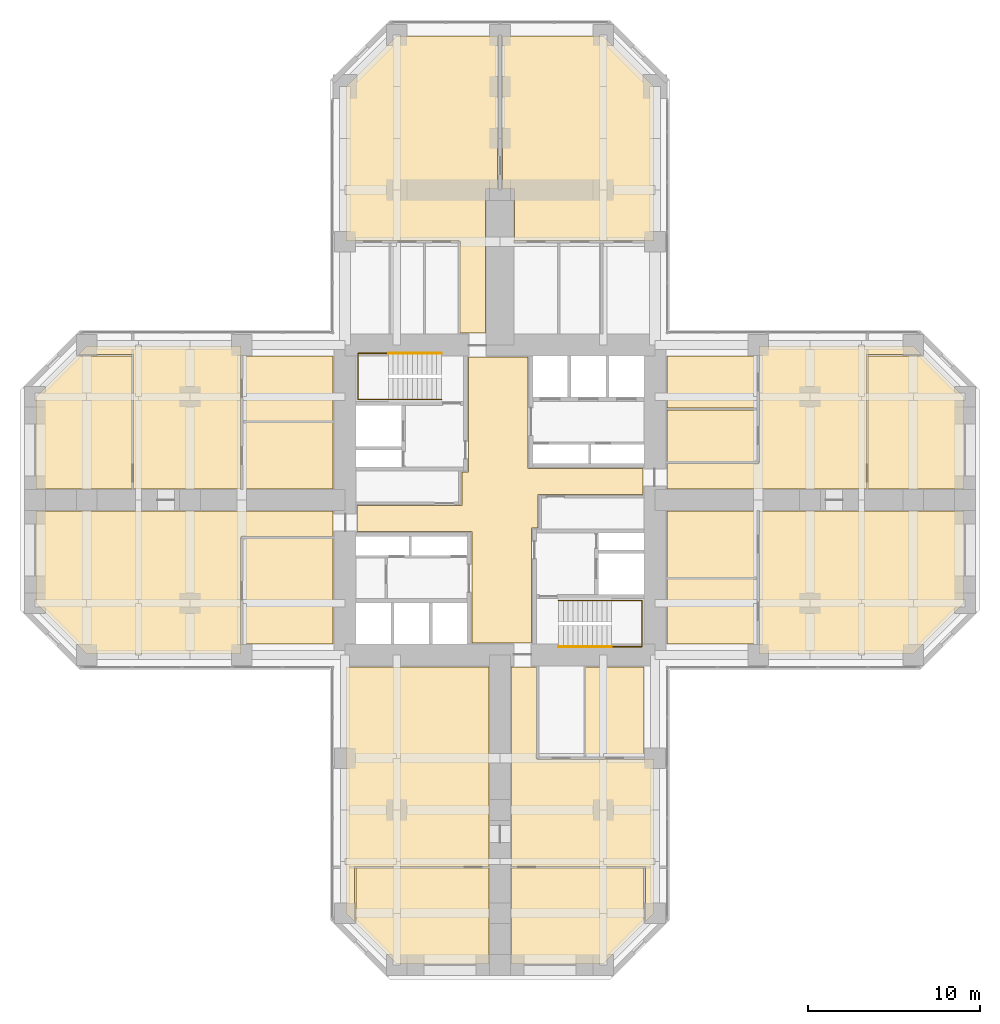
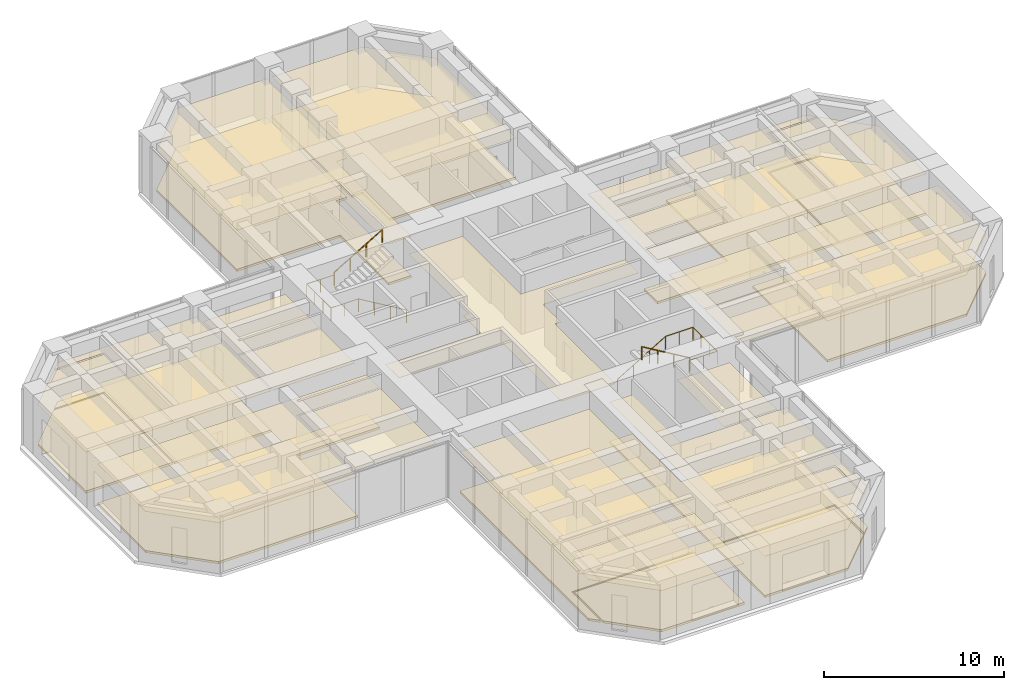
# One storey, part 12 of 12: 33 coverings, 4 railings.
"""IFC4 building model written with IfcOpenShell, lengths in metres."""

from ifc_helpers import new_model, si_unit, direction, frame, origin, origin_2d, place, context, subcontext, project, spatial, polyline, circle, outline, extrude, material, layer, layer_set, constituent, constituent_set, type_object, element, save


model = new_model("IFC4")

# Units and contexts
model_context = context("Model", 3, precision=1e-05, world=origin(), true_north=direction((0.0, 1.0)))
body_context = subcontext(model_context, "Body", "Model", "MODEL_VIEW")
ifc_project = project(units=[si_unit("LENGTHUNIT", "METRE"), si_unit("AREAUNIT", "SQUARE_METRE"), si_unit("VOLUMEUNIT", "CUBIC_METRE"), si_unit("PLANEANGLEUNIT", "RADIAN"), si_unit("MASSUNIT", "GRAM", prefix="KILO")], contexts=[model_context])

# Site, building, storey
site_placement = place(None, origin())
site = spatial("IfcSite", under=ifc_project, at=site_placement, CompositionType="ELEMENT")
building_placement = place(site_placement, origin())
building = spatial("IfcBuilding", under=site, at=building_placement, Name="Torre Cruceta", CompositionType="ELEMENT")
storey_placement = place(building_placement, frame((0.0, 0.0, 83.5)))
storey = spatial("IfcBuildingStorey", under=building, at=storey_placement, Name="L20", CompositionType="ELEMENT", Elevation=83.5)

# Railings
ifc_material_1 = material(Name="Stainless steel 1.4401", Category="steel")
railing_type = type_object("IfcRailingType", Name="HANDRAIL 900", PredefinedType="HANDRAIL", material=ifc_material_1)
railing_1_placement = place(storey_placement, frame((-3.39990234375, 5.8349609375, 0.166748046875)))
element("IfcRailing", 1, at=railing_1_placement, inside=storey, type_object=railing_type, Name="Handrail HR1 ST1 L20", PredefinedType="HANDRAIL", context=body_context, shape_type="SweptSolid", body=[
    extrude(circle(Radius=0.02392578125, at=origin_2d()), frame((0.0, 0.0, 0.8759765625), z_axis=(-0.859308565015, 0.0, 0.511457515432), x_axis=(0.0, -1.0, 0.0)), (0.0, 0.0, 1.0), 3.58447265625),
    extrude(circle(Radius=0.02392578125, at=origin_2d()), frame((-3.080078125, 0.0, 2.708984375), z_axis=(-1.0, 0.0, 0.0), x_axis=(0.0, -1.0, 0.0)), (0.0, 0.0, 1.0), 1.760009765625),
    extrude(circle(Radius=0.02392578125, at=origin_2d()), frame((-4.840087890625, 0.0, 2.708984375), z_axis=(0.0, 1.0, 0.0), x_axis=(-1.0, 0.0, 0.0)), (0.0, 0.0, 1.0), 2.679931640625),
    extrude(circle(Radius=0.02392578125, at=origin_2d()), frame((-4.840087890625, 2.679931640625, 2.708984375), z_axis=(1.0, 0.0, 0.0), x_axis=(0.0, 1.0, 0.0)), (0.0, 0.0, 1.0), 1.760009765625),
    extrude(circle(Radius=0.02099609375, at=origin_2d()), origin(), (0.0, 0.0, 1.0), 0.851806640625),
    extrude(circle(Radius=0.02099609375, at=origin_2d()), frame((-1.026611328125, 0.0, 0.611083984375)), (0.0, 0.0, 1.0), 0.851806640625),
    extrude(circle(Radius=0.02099609375, at=origin_2d()), frame((-2.053466796875, 0.0, 1.22216796875)), (0.0, 0.0, 1.0), 0.851806640625),
    extrude(circle(Radius=0.02099609375, at=origin_2d()), frame((-3.080078125, 0.0, 1.833251953125)), (0.0, 0.0, 1.0), 0.851806640625),
    extrude(circle(Radius=0.02099609375, at=origin_2d()), frame((-3.9599609375, 0.0, 1.833251953125)), (0.0, 0.0, 1.0), 0.851806640625),
    extrude(circle(Radius=0.02099609375, at=origin_2d()), frame((-4.840087890625, 0.0, 1.833251953125)), (0.0, 0.0, 1.0), 0.851806640625),
    extrude(circle(Radius=0.02099609375, at=origin_2d()), frame((-4.840087890625, 0.893310546875, 1.833251953125)), (0.0, 0.0, 1.0), 0.851806640625),
    extrude(circle(Radius=0.02099609375, at=origin_2d()), frame((-4.840087890625, 1.78662109375, 1.833251953125)), (0.0, 0.0, 1.0), 0.851806640625),
    extrude(circle(Radius=0.02099609375, at=origin_2d()), frame((-4.840087890625, 2.679931640625, 1.833251953125)), (0.0, 0.0, 1.0), 0.851806640625),
    extrude(circle(Radius=0.02099609375, at=origin_2d()), frame((-3.9599609375, 2.679931640625, 1.833251953125)), (0.0, 0.0, 1.0), 0.851806640625),
    extrude(circle(Radius=0.02099609375, at=origin_2d()), frame((-3.080078125, 2.679931640625, 1.833251953125)), (0.0, 0.0, 1.0), 0.851806640625),
])
railing_2_placement = place(storey_placement, frame((-6.47998046875, 8.514892578125, 2.166748046875)))
element("IfcRailing", 2, at=railing_2_placement, inside=storey, type_object=railing_type, Name="Handrail HR1 ST1 L20", PredefinedType="HANDRAIL", context=body_context, shape_type="SweptSolid", body=[
    extrude(circle(Radius=0.02392578125, at=origin_2d()), frame((0.0, 0.0, 0.8759765625), z_axis=(0.859308565015, 0.0, 0.511457515432), x_axis=(0.0, 1.0, 0.0)), (0.0, 0.0, 1.0), 3.58447265625),
    extrude(circle(Radius=0.02099609375, at=origin_2d()), origin(), (0.0, 0.0, 1.0), 0.851806640625),
    extrude(circle(Radius=0.02099609375, at=origin_2d()), frame((1.026611328125, 0.0, 0.611083984375)), (0.0, 0.0, 1.0), 0.851806640625),
    extrude(circle(Radius=0.02099609375, at=origin_2d()), frame((2.053466796875, 0.0, 1.22216796875)), (0.0, 0.0, 1.0), 0.851806640625),
    extrude(circle(Radius=0.02099609375, at=origin_2d()), frame((3.080078125, 0.0, 1.833251953125)), (0.0, 0.0, 1.0), 0.851806640625),
])
railing_3_placement = place(storey_placement, frame((3.39990234375, -5.8349609375, 0.166748046875)))
element("IfcRailing", 3, at=railing_3_placement, inside=storey, type_object=railing_type, Name="Handrail HR1 ST2 L20", PredefinedType="HANDRAIL", context=body_context, shape_type="SweptSolid", body=[
    extrude(circle(Radius=0.02392578125, at=origin_2d()), frame((0.0, 0.0, 0.8759765625), z_axis=(0.859308565015, 0.0, 0.511457515432), x_axis=(0.0, 1.0, 0.0)), (0.0, 0.0, 1.0), 3.58447265625),
    extrude(circle(Radius=0.02392578125, at=origin_2d()), frame((3.080078125, 0.0, 2.708984375), z_axis=(1.0, 0.0, 0.0), x_axis=(0.0, 1.0, 0.0)), (0.0, 0.0, 1.0), 1.760009765625),
    extrude(circle(Radius=0.02392578125, at=origin_2d()), frame((4.840087890625, 0.0, 2.708984375), z_axis=(0.0, -1.0, 0.0), x_axis=(1.0, 0.0, 0.0)), (0.0, 0.0, 1.0), 2.679931640625),
    extrude(circle(Radius=0.02392578125, at=origin_2d()), frame((4.840087890625, -2.679931640625, 2.708984375), z_axis=(-1.0, 0.0, 0.0), x_axis=(0.0, -1.0, 0.0)), (0.0, 0.0, 1.0), 1.760009765625),
    extrude(circle(Radius=0.02099609375, at=origin_2d()), origin(), (0.0, 0.0, 1.0), 0.851806640625),
    extrude(circle(Radius=0.02099609375, at=origin_2d()), frame((1.026611328125, 0.0, 0.611083984375)), (0.0, 0.0, 1.0), 0.851806640625),
    extrude(circle(Radius=0.02099609375, at=origin_2d()), frame((2.053466796875, 0.0, 1.22216796875)), (0.0, 0.0, 1.0), 0.851806640625),
    extrude(circle(Radius=0.02099609375, at=origin_2d()), frame((3.080078125, 0.0, 1.833251953125)), (0.0, 0.0, 1.0), 0.851806640625),
    extrude(circle(Radius=0.02099609375, at=origin_2d()), frame((3.9599609375, 0.0, 1.833251953125)), (0.0, 0.0, 1.0), 0.851806640625),
    extrude(circle(Radius=0.02099609375, at=origin_2d()), frame((4.840087890625, 0.0, 1.833251953125)), (0.0, 0.0, 1.0), 0.851806640625),
    extrude(circle(Radius=0.02099609375, at=origin_2d()), frame((4.840087890625, -0.893310546875, 1.833251953125)), (0.0, 0.0, 1.0), 0.851806640625),
    extrude(circle(Radius=0.02099609375, at=origin_2d()), frame((4.840087890625, -1.78662109375, 1.833251953125)), (0.0, 0.0, 1.0), 0.851806640625),
    extrude(circle(Radius=0.02099609375, at=origin_2d()), frame((4.840087890625, -2.679931640625, 1.833251953125)), (0.0, 0.0, 1.0), 0.851806640625),
    extrude(circle(Radius=0.02099609375, at=origin_2d()), frame((3.9599609375, -2.679931640625, 1.833251953125)), (0.0, 0.0, 1.0), 0.851806640625),
    extrude(circle(Radius=0.02099609375, at=origin_2d()), frame((3.080078125, -2.679931640625, 1.833251953125)), (0.0, 0.0, 1.0), 0.851806640625),
])
railing_4_placement = place(storey_placement, frame((6.47998046875, -8.514892578125, 2.166748046875)))
element("IfcRailing", 4, at=railing_4_placement, inside=storey, type_object=railing_type, Name="Handrail HR1 ST2 L20", PredefinedType="HANDRAIL", context=body_context, shape_type="SweptSolid", body=[
    extrude(circle(Radius=0.02392578125, at=origin_2d()), frame((0.0, 0.0, 0.8759765625), z_axis=(-0.859308565015, 0.0, 0.511457515432), x_axis=(0.0, -1.0, 0.0)), (0.0, 0.0, 1.0), 3.58447265625),
    extrude(circle(Radius=0.02099609375, at=origin_2d()), origin(), (0.0, 0.0, 1.0), 0.851806640625),
    extrude(circle(Radius=0.02099609375, at=origin_2d()), frame((-1.026611328125, 0.0, 0.611083984375)), (0.0, 0.0, 1.0), 0.851806640625),
    extrude(circle(Radius=0.02099609375, at=origin_2d()), frame((-2.053466796875, 0.0, 1.22216796875)), (0.0, 0.0, 1.0), 0.851806640625),
    extrude(circle(Radius=0.02099609375, at=origin_2d()), frame((-3.080078125, 0.0, 1.833251953125)), (0.0, 0.0, 1.0), 0.851806640625),
])

# Coverings
ifc_material_2 = material(Name="Steel DX51D", Category="steel")
ifc_constituent_1 = constituent(ifc_material_2, Name="Panel casing")
ifc_material_3 = material(Name="Calcium sulphate", Category="gypsum")
ifc_constituent_2 = constituent(ifc_material_3, Name="Panel core")
ifc_constituent_set = constituent_set(constituents=[ifc_constituent_1, ifc_constituent_2], Name="Raised access floor panel")
covering_type_1 = type_object("IfcCoveringType", Name="RAISED ACCESS FLOOR 150", PredefinedType="FLOORING", material=ifc_constituent_set)
covering_1_placement = place(storey_placement, origin())
element("IfcCovering", 5, at=covering_1_placement, inside=storey, type_object=covering_type_1, Name="Raised floor L20-031", PredefinedType="FLOORING", context=body_context, shape_type="SweptSolid", body=[
    extrude(outline(polyline([(-0.14990234375, 26.949951171875), (-0.14990234375, 18.050048828125), (-0.85009765625, 18.050048828125), (-0.85009765625, 9.699951171875), (-2.324951171875, 9.699951171875), (-2.324951171875, 15.050048828125), (-8.949951171875, 15.050048828125), (-8.949951171875, 23.979248046875), (-5.979248046875, 26.949951171875), (-0.14990234375, 26.949951171875)])), origin(), (0.0, 0.0, 1.0), 0.14990234375),
])
covering_2_placement = place(storey_placement, origin())
element("IfcCovering", 6, at=covering_2_placement, inside=storey, type_object=covering_type_1, Name="Raised floor L20-032", PredefinedType="FLOORING", context=body_context, shape_type="SweptSolid", body=[
    extrude(outline(polyline([(5.979248046875, 26.949951171875), (8.949951171875, 23.979248046875), (8.949951171875, 15.050048828125), (0.85009765625, 15.050048828125), (0.85009765625, 18.050048828125), (0.14990234375, 18.050048828125), (0.14990234375, 26.949951171875), (5.979248046875, 26.949951171875)])), origin(), (0.0, 0.0, 1.0), 0.14990234375),
])
covering_3_placement = place(storey_placement, origin())
element("IfcCovering", 7, at=covering_3_placement, inside=storey, type_object=covering_type_1, Name="Raised floor L20-037", PredefinedType="FLOORING", context=body_context, shape_type="SweptSolid", body=[
    extrude(outline(polyline([(26.949951171875, 0.64990234375), (21.3701171875, 0.64990234375), (21.3701171875, 8.35009765625), (24.579345703125, 8.35009765625), (26.949951171875, 5.979248046875), (26.949951171875, 0.64990234375)])), origin(), (0.0, 0.0, 1.0), 0.14990234375),
])
covering_4_placement = place(storey_placement, origin())
element("IfcCovering", 8, at=covering_4_placement, inside=storey, type_object=covering_type_1, Name="Raised floor L20-038", PredefinedType="FLOORING", context=body_context, shape_type="SweptSolid", body=[
    extrude(outline(polyline([(9.699951171875, 2.125), (15.050048828125, 2.125), (15.050048828125, 8.949951171875), (23.979248046875, 8.949951171875), (24.479248046875, 8.449951171875), (21.27001953125, 8.449951171875), (21.27001953125, 0.64990234375), (9.699951171875, 0.64990234375), (9.699951171875, 2.125)])), origin(), (0.0, 0.0, 1.0), 0.14990234375),
])
covering_5_placement = place(storey_placement, origin())
element("IfcCovering", 9, at=covering_5_placement, inside=storey, type_object=covering_type_1, Name="Raised floor L20-039", PredefinedType="FLOORING", context=body_context, shape_type="SweptSolid", body=[
    extrude(outline(polyline([(23.979248046875, -8.949951171875), (15.050048828125, -8.949951171875), (15.050048828125, -0.64990234375), (26.949951171875, -0.64990234375), (26.949951171875, -5.979248046875), (23.979248046875, -8.949951171875)])), origin(), (0.0, 0.0, 1.0), 0.14990234375),
])
covering_6_placement = place(storey_placement, origin())
element("IfcCovering", 10, at=covering_6_placement, inside=storey, type_object=covering_type_1, Name="Raised floor L20-042", PredefinedType="FLOORING", context=body_context, shape_type="SweptSolid", body=[
    extrude(outline(polyline([(0.64990234375, -26.949951171875), (0.64990234375, -21.3701171875), (8.35009765625, -21.3701171875), (8.35009765625, -24.579345703125), (5.979248046875, -26.949951171875), (0.64990234375, -26.949951171875)])), origin(), (0.0, 0.0, 1.0), 0.14990234375),
])
covering_7_placement = place(storey_placement, origin())
element("IfcCovering", 11, at=covering_7_placement, inside=storey, type_object=covering_type_1, Name="Raised floor L20-043", PredefinedType="FLOORING", context=body_context, shape_type="SweptSolid", body=[
    extrude(outline(polyline([(-8.35009765625, -24.579345703125), (-8.35009765625, -21.3701171875), (-0.64990234375, -21.3701171875), (-0.64990234375, -26.949951171875), (-5.979248046875, -26.949951171875), (-8.35009765625, -24.579345703125)])), origin(), (0.0, 0.0, 1.0), 0.14990234375),
])
covering_8_placement = place(storey_placement, origin())
element("IfcCovering", 12, at=covering_8_placement, inside=storey, type_object=covering_type_1, Name="Raised floor L20-044", PredefinedType="FLOORING", context=body_context, shape_type="SweptSolid", body=[
    extrude(outline(polyline([(0.64990234375, -21.27001953125), (0.64990234375, -9.699951171875), (2.125, -9.699951171875), (2.125, -15.050048828125), (8.949951171875, -15.050048828125), (8.949951171875, -23.979248046875), (8.449951171875, -24.479248046875), (8.449951171875, -21.27001953125), (0.64990234375, -21.27001953125)])), origin(), (0.0, 0.0, 1.0), 0.14990234375),
])
covering_9_placement = place(storey_placement, origin())
element("IfcCovering", 13, at=covering_9_placement, inside=storey, type_object=covering_type_1, Name="Raised floor L20-045", PredefinedType="FLOORING", context=body_context, shape_type="SweptSolid", body=[
    extrude(outline(polyline([(-8.449951171875, -21.27001953125), (-8.449951171875, -24.479248046875), (-8.949951171875, -23.979248046875), (-8.949951171875, -9.699951171875), (-0.64990234375, -9.699951171875), (-0.64990234375, -21.27001953125), (-8.449951171875, -21.27001953125)])), origin(), (0.0, 0.0, 1.0), 0.14990234375),
])
covering_10_placement = place(storey_placement, origin())
element("IfcCovering", 14, at=covering_10_placement, inside=storey, type_object=covering_type_1, Name="Raised floor L20-049", PredefinedType="FLOORING", context=body_context, shape_type="SweptSolid", body=[
    extrude(outline(polyline([(-24.579345703125, 8.35009765625), (-21.3701171875, 8.35009765625), (-21.3701171875, 0.64990234375), (-26.949951171875, 0.64990234375), (-26.949951171875, 5.979248046875), (-24.579345703125, 8.35009765625)])), origin(), (0.0, 0.0, 1.0), 0.14990234375),
])
covering_11_placement = place(storey_placement, origin())
element("IfcCovering", 15, at=covering_11_placement, inside=storey, type_object=covering_type_1, Name="Raised floor L20-050", PredefinedType="FLOORING", context=body_context, shape_type="SweptSolid", body=[
    extrude(outline(polyline([(-9.699951171875, -2.125), (-15.050048828125, -2.125), (-15.050048828125, -8.949951171875), (-23.979248046875, -8.949951171875), (-26.949951171875, -5.979248046875), (-26.949951171875, -0.64990234375), (-9.699951171875, -0.64990234375), (-9.699951171875, -2.125)])), origin(), (0.0, 0.0, 1.0), 0.14990234375),
])
covering_12_placement = place(storey_placement, origin())
element("IfcCovering", 16, at=covering_12_placement, inside=storey, type_object=covering_type_1, Name="Raised floor L20-051", PredefinedType="FLOORING", context=body_context, shape_type="SweptSolid", body=[
    extrude(outline(polyline([(-21.27001953125, 8.449951171875), (-24.479248046875, 8.449951171875), (-23.979248046875, 8.949951171875), (-15.050048828125, 8.949951171875), (-15.050048828125, 0.64990234375), (-21.27001953125, 0.64990234375), (-21.27001953125, 8.449951171875)])), origin(), (0.0, 0.0, 1.0), 0.14990234375),
])
ifc_material_4 = material(Name="Mineral fibre ceiling tile", Category="gypsum")
ifc_layer = layer(ifc_material_4, 0.02001953125)
ifc_layer_set = layer_set([ifc_layer], Name="Mineral fibre ceiling tile")
covering_type_2 = type_object("IfcCoveringType", Name="SUSPENDED CEILING 20", PredefinedType="CEILING", material=ifc_layer_set)
covering_13_placement = place(storey_placement, frame((0.0, 0.0, 2.780029296875)))
element("IfcCovering", 17, at=covering_13_placement, inside=storey, type_object=covering_type_2, Name="Ceiling L20-001", PredefinedType="CEILING", context=body_context, shape_type="SweptSolid", body=[
    extrude(outline(polyline([(1.824951171875, -8.300048828125), (-1.625, -8.300048828125), (-1.625, -1.824951171875), (-8.300048828125, -1.824951171875), (-8.300048828125, -0.324951171875), (-2.199951171875, -0.324951171875), (-2.199951171875, 1.625), (-1.824951171875, 1.625), (-1.824951171875, 8.300048828125), (1.625, 8.300048828125), (1.625, 1.824951171875), (8.300048828125, 1.824951171875), (8.300048828125, 0.324951171875), (2.199951171875, 0.324951171875), (2.199951171875, -1.625), (1.824951171875, -1.625), (1.824951171875, -8.300048828125)])), origin(), (0.0, 0.0, 1.0), 0.02001953125),
])
covering_14_placement = place(storey_placement, frame((0.0, 0.0, 2.780029296875)))
element("IfcCovering", 18, at=covering_14_placement, inside=storey, type_object=covering_type_2, Name="Ceiling L20-031", PredefinedType="CEILING", context=body_context, shape_type="SweptSolid", body=[
    extrude(outline(polyline([(-0.14990234375, 26.949951171875), (-0.14990234375, 18.050048828125), (-0.85009765625, 18.050048828125), (-0.85009765625, 9.699951171875), (-2.324951171875, 9.699951171875), (-2.324951171875, 15.050048828125), (-8.949951171875, 15.050048828125), (-8.949951171875, 23.979248046875), (-5.979248046875, 26.949951171875), (-0.14990234375, 26.949951171875)])), origin(), (0.0, 0.0, 1.0), 0.02001953125),
])
covering_15_placement = place(storey_placement, frame((0.0, 0.0, 2.780029296875)))
element("IfcCovering", 19, at=covering_15_placement, inside=storey, type_object=covering_type_2, Name="Ceiling L20-032", PredefinedType="CEILING", context=body_context, shape_type="SweptSolid", body=[
    extrude(outline(polyline([(5.979248046875, 26.949951171875), (8.949951171875, 23.979248046875), (8.949951171875, 15.050048828125), (0.85009765625, 15.050048828125), (0.85009765625, 18.050048828125), (0.14990234375, 18.050048828125), (0.14990234375, 26.949951171875), (5.979248046875, 26.949951171875)])), origin(), (0.0, 0.0, 1.0), 0.02001953125),
])
covering_16_placement = place(storey_placement, frame((0.0, 0.0, 2.780029296875)))
element("IfcCovering", 20, at=covering_16_placement, inside=storey, type_object=covering_type_2, Name="Ceiling L20-033", PredefinedType="CEILING", context=body_context, shape_type="SweptSolid", body=[
    extrude(outline(polyline([(9.699951171875, 2.22509765625), (9.699951171875, 5.237548828125), (14.949951171875, 5.237548828125), (14.949951171875, 2.22509765625), (9.699951171875, 2.22509765625)])), origin(), (0.0, 0.0, 1.0), 0.02001953125),
])
covering_17_placement = place(storey_placement, frame((0.0, 0.0, 2.780029296875)))
element("IfcCovering", 21, at=covering_17_placement, inside=storey, type_object=covering_type_2, Name="Ceiling L20-034", PredefinedType="CEILING", context=body_context, shape_type="SweptSolid", body=[
    extrude(outline(polyline([(9.699951171875, 5.33740234375), (9.699951171875, 8.35009765625), (14.949951171875, 8.35009765625), (14.949951171875, 5.33740234375), (9.699951171875, 5.33740234375)])), origin(), (0.0, 0.0, 1.0), 0.02001953125),
])
covering_18_placement = place(storey_placement, frame((0.0, 0.0, 2.780029296875)))
element("IfcCovering", 22, at=covering_18_placement, inside=storey, type_object=covering_type_2, Name="Ceiling L20-035", PredefinedType="CEILING", context=body_context, shape_type="SweptSolid", body=[
    extrude(outline(polyline([(9.699951171875, -4.5), (9.699951171875, -0.64990234375), (14.949951171875, -0.64990234375), (14.949951171875, -4.5), (9.699951171875, -4.5)])), origin(), (0.0, 0.0, 1.0), 0.02001953125),
])
covering_19_placement = place(storey_placement, frame((0.0, 0.0, 2.780029296875)))
element("IfcCovering", 23, at=covering_19_placement, inside=storey, type_object=covering_type_2, Name="Ceiling L20-036", PredefinedType="CEILING", context=body_context, shape_type="SweptSolid", body=[
    extrude(outline(polyline([(9.699951171875, -8.35009765625), (9.699951171875, -4.60009765625), (14.949951171875, -4.60009765625), (14.949951171875, -8.35009765625), (9.699951171875, -8.35009765625)])), origin(), (0.0, 0.0, 1.0), 0.02001953125),
])
covering_20_placement = place(storey_placement, frame((0.0, 0.0, 2.780029296875)))
element("IfcCovering", 24, at=covering_20_placement, inside=storey, type_object=covering_type_2, Name="Ceiling L20-037", PredefinedType="CEILING", context=body_context, shape_type="SweptSolid", body=[
    extrude(outline(polyline([(26.949951171875, 0.64990234375), (21.3701171875, 0.64990234375), (21.3701171875, 8.35009765625), (24.579345703125, 8.35009765625), (26.949951171875, 5.979248046875), (26.949951171875, 0.64990234375)])), origin(), (0.0, 0.0, 1.0), 0.02001953125),
])
covering_21_placement = place(storey_placement, frame((0.0, 0.0, 2.780029296875)))
element("IfcCovering", 25, at=covering_21_placement, inside=storey, type_object=covering_type_2, Name="Ceiling L20-038", PredefinedType="CEILING", context=body_context, shape_type="SweptSolid", body=[
    extrude(outline(polyline([(9.699951171875, 2.125), (15.050048828125, 2.125), (15.050048828125, 8.949951171875), (23.979248046875, 8.949951171875), (24.479248046875, 8.449951171875), (21.27001953125, 8.449951171875), (21.27001953125, 0.64990234375), (9.699951171875, 0.64990234375), (9.699951171875, 2.125)])), origin(), (0.0, 0.0, 1.0), 0.02001953125),
])
covering_22_placement = place(storey_placement, frame((0.0, 0.0, 2.780029296875)))
element("IfcCovering", 26, at=covering_22_placement, inside=storey, type_object=covering_type_2, Name="Ceiling L20-039", PredefinedType="CEILING", context=body_context, shape_type="SweptSolid", body=[
    extrude(outline(polyline([(23.979248046875, -8.949951171875), (15.050048828125, -8.949951171875), (15.050048828125, -0.64990234375), (26.949951171875, -0.64990234375), (26.949951171875, -5.979248046875), (23.979248046875, -8.949951171875)])), origin(), (0.0, 0.0, 1.0), 0.02001953125),
])
covering_23_placement = place(storey_placement, frame((0.0, 0.0, 2.780029296875)))
element("IfcCovering", 27, at=covering_23_placement, inside=storey, type_object=covering_type_2, Name="Ceiling L20-041", PredefinedType="CEILING", context=body_context, shape_type="SweptSolid", body=[
    extrude(outline(polyline([(4.9755859375, -9.699951171875), (8.35009765625, -9.699951171875), (8.35009765625, -14.949951171875), (4.9755859375, -14.949951171875), (4.9755859375, -9.699951171875)])), origin(), (0.0, 0.0, 1.0), 0.02001953125),
])
covering_24_placement = place(storey_placement, frame((0.0, 0.0, 2.780029296875)))
element("IfcCovering", 28, at=covering_24_placement, inside=storey, type_object=covering_type_2, Name="Ceiling L20-042", PredefinedType="CEILING", context=body_context, shape_type="SweptSolid", body=[
    extrude(outline(polyline([(0.64990234375, -26.949951171875), (0.64990234375, -21.3701171875), (8.35009765625, -21.3701171875), (8.35009765625, -24.579345703125), (5.979248046875, -26.949951171875), (0.64990234375, -26.949951171875)])), origin(), (0.0, 0.0, 1.0), 0.02001953125),
])
covering_25_placement = place(storey_placement, frame((0.0, 0.0, 2.780029296875)))
element("IfcCovering", 29, at=covering_25_placement, inside=storey, type_object=covering_type_2, Name="Ceiling L20-043", PredefinedType="CEILING", context=body_context, shape_type="SweptSolid", body=[
    extrude(outline(polyline([(-8.35009765625, -24.579345703125), (-8.35009765625, -21.3701171875), (-0.64990234375, -21.3701171875), (-0.64990234375, -26.949951171875), (-5.979248046875, -26.949951171875), (-8.35009765625, -24.579345703125)])), origin(), (0.0, 0.0, 1.0), 0.02001953125),
])
covering_26_placement = place(storey_placement, frame((0.0, 0.0, 2.780029296875)))
element("IfcCovering", 30, at=covering_26_placement, inside=storey, type_object=covering_type_2, Name="Ceiling L20-044", PredefinedType="CEILING", context=body_context, shape_type="SweptSolid", body=[
    extrude(outline(polyline([(0.64990234375, -21.27001953125), (0.64990234375, -9.699951171875), (2.125, -9.699951171875), (2.125, -15.050048828125), (8.949951171875, -15.050048828125), (8.949951171875, -23.979248046875), (8.449951171875, -24.479248046875), (8.449951171875, -21.27001953125), (0.64990234375, -21.27001953125)])), origin(), (0.0, 0.0, 1.0), 0.02001953125),
])
covering_27_placement = place(storey_placement, frame((0.0, 0.0, 2.780029296875)))
element("IfcCovering", 31, at=covering_27_placement, inside=storey, type_object=covering_type_2, Name="Ceiling L20-045", PredefinedType="CEILING", context=body_context, shape_type="SweptSolid", body=[
    extrude(outline(polyline([(-8.449951171875, -21.27001953125), (-8.449951171875, -24.479248046875), (-8.949951171875, -23.979248046875), (-8.949951171875, -9.699951171875), (-0.64990234375, -9.699951171875), (-0.64990234375, -21.27001953125), (-8.449951171875, -21.27001953125)])), origin(), (0.0, 0.0, 1.0), 0.02001953125),
])
covering_28_placement = place(storey_placement, frame((0.0, 0.0, 2.780029296875)))
element("IfcCovering", 32, at=covering_28_placement, inside=storey, type_object=covering_type_2, Name="Ceiling L20-046", PredefinedType="CEILING", context=body_context, shape_type="SweptSolid", body=[
    extrude(outline(polyline([(-9.699951171875, -2.22509765625), (-9.699951171875, -8.35009765625), (-14.949951171875, -8.35009765625), (-14.949951171875, -2.22509765625), (-9.699951171875, -2.22509765625)])), origin(), (0.0, 0.0, 1.0), 0.02001953125),
])
covering_29_placement = place(storey_placement, frame((0.0, 0.0, 2.780029296875)))
element("IfcCovering", 33, at=covering_29_placement, inside=storey, type_object=covering_type_2, Name="Ceiling L20-047", PredefinedType="CEILING", context=body_context, shape_type="SweptSolid", body=[
    extrude(outline(polyline([(-9.699951171875, 4.5), (-9.699951171875, 0.64990234375), (-14.949951171875, 0.64990234375), (-14.949951171875, 4.5), (-9.699951171875, 4.5)])), origin(), (0.0, 0.0, 1.0), 0.02001953125),
])
covering_30_placement = place(storey_placement, frame((0.0, 0.0, 2.780029296875)))
element("IfcCovering", 34, at=covering_30_placement, inside=storey, type_object=covering_type_2, Name="Ceiling L20-048", PredefinedType="CEILING", context=body_context, shape_type="SweptSolid", body=[
    extrude(outline(polyline([(-9.699951171875, 8.35009765625), (-9.699951171875, 4.60009765625), (-14.949951171875, 4.60009765625), (-14.949951171875, 8.35009765625), (-9.699951171875, 8.35009765625)])), origin(), (0.0, 0.0, 1.0), 0.02001953125),
])
covering_31_placement = place(storey_placement, frame((0.0, 0.0, 2.780029296875)))
element("IfcCovering", 35, at=covering_31_placement, inside=storey, type_object=covering_type_2, Name="Ceiling L20-049", PredefinedType="CEILING", context=body_context, shape_type="SweptSolid", body=[
    extrude(outline(polyline([(-24.579345703125, 8.35009765625), (-21.3701171875, 8.35009765625), (-21.3701171875, 0.64990234375), (-26.949951171875, 0.64990234375), (-26.949951171875, 5.979248046875), (-24.579345703125, 8.35009765625)])), origin(), (0.0, 0.0, 1.0), 0.02001953125),
])
covering_32_placement = place(storey_placement, frame((0.0, 0.0, 2.780029296875)))
element("IfcCovering", 36, at=covering_32_placement, inside=storey, type_object=covering_type_2, Name="Ceiling L20-050", PredefinedType="CEILING", context=body_context, shape_type="SweptSolid", body=[
    extrude(outline(polyline([(-9.699951171875, -2.125), (-15.050048828125, -2.125), (-15.050048828125, -8.949951171875), (-23.979248046875, -8.949951171875), (-26.949951171875, -5.979248046875), (-26.949951171875, -0.64990234375), (-9.699951171875, -0.64990234375), (-9.699951171875, -2.125)])), origin(), (0.0, 0.0, 1.0), 0.02001953125),
])
covering_33_placement = place(storey_placement, frame((0.0, 0.0, 2.780029296875)))
element("IfcCovering", 37, at=covering_33_placement, inside=storey, type_object=covering_type_2, Name="Ceiling L20-051", PredefinedType="CEILING", context=body_context, shape_type="SweptSolid", body=[
    extrude(outline(polyline([(-21.27001953125, 8.449951171875), (-24.479248046875, 8.449951171875), (-23.979248046875, 8.949951171875), (-15.050048828125, 8.949951171875), (-15.050048828125, 0.64990234375), (-21.27001953125, 0.64990234375), (-21.27001953125, 8.449951171875)])), origin(), (0.0, 0.0, 1.0), 0.02001953125),
])

save(model, "model.ifc")
